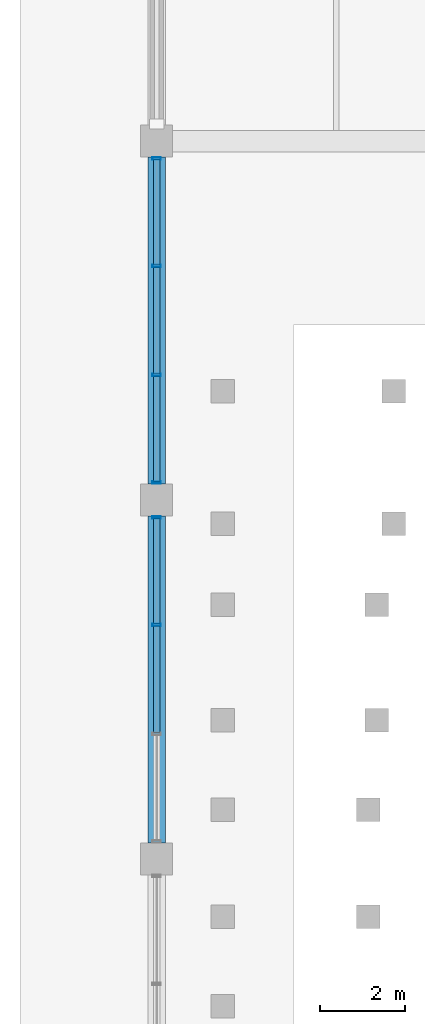
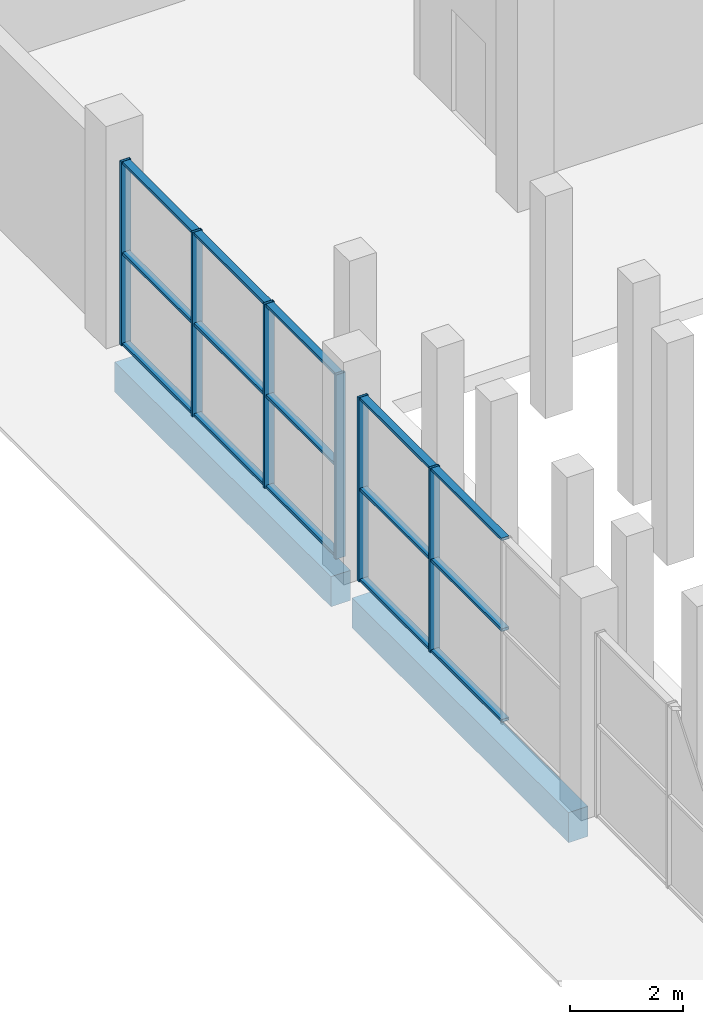
# One storey, part 36 of 130: 21 members, 2 beams, 2 elements without a shape of their own.
"""IFC4 building model written with IfcOpenShell, lengths in metres."""

import ifcopenshell
import ifcopenshell.guid

model = None  # the IFC model being written
_history = None  # IfcOwnerHistory: only IFC2X3 demands one
_inside = {}  # id of a spatial element -> (the spatial element, [elements in it])
_under = {}  # id of a project, library or spatial element -> (it, [spatial elements below it])
_declared = {}  # id of a project -> (the project, [libraries it declares])
_typed = {}  # id of a type object -> (the type object, [elements of that type])
_made_of = {}  # id of a material, layer set ... -> (it, [elements and type objects made of it])


def new_model(schema):
    """Start an empty IFC model of exactly this schema.

    Asked for "IFC4X3", IfcOpenShell would pick the latest addendum, in which some entities
    have other attributes; the version numbers below select the first issue.
    IFC2X3 requires an IfcOwnerHistory on every rooted entity: one is made here for all.
    """
    global model, _history
    if schema == "IFC4X3":
        model = ifcopenshell.file(schema_version=(4, 3, 0, 0))
    else:
        model = ifcopenshell.file(schema=schema)
    _inside.clear()
    _under.clear()
    _declared.clear()
    _typed.clear()
    _made_of.clear()
    _history = None
    if model.schema == "IFC2X3":
        org = make("IfcOrganization", Name="unknown")
        user = make(
            "IfcPersonAndOrganization",
            ThePerson=make("IfcPerson", FamilyName="unknown"),
            TheOrganization=org,
        )
        app = make(
            "IfcApplication",
            ApplicationDeveloper=org,
            Version="unknown",
            ApplicationFullName="unknown",
            ApplicationIdentifier="unknown",
        )
        _history = make(
            "IfcOwnerHistory",
            OwningUser=user,
            OwningApplication=app,
            ChangeAction="ADDED",
            CreationDate=0,
        )
    return model


def make(cls, **values):
    """One entity of the class cls with the attributes given. An attribute that is None is left unset."""
    return model.create_entity(
        cls, **{name: value for name, value in values.items() if value is not None}
    )


def rooted(cls, **values):
    """An entity with a GlobalId (a new one), such as an element, a storey or a relation."""
    return make(cls, GlobalId=ifcopenshell.guid.new(), OwnerHistory=_history, **values)


def si_unit(unit_type, name, prefix=None):
    """IfcSIUnit, for example si_unit("LENGTHUNIT", "METRE", prefix="MILLI")."""
    return make("IfcSIUnit", UnitType=unit_type, Prefix=prefix, Name=name)


def assignment(units):
    """IfcUnitAssignment: the units of a project."""
    return None if units is None else make("IfcUnitAssignment", Units=units)


def point(xyz):
    """IfcCartesianPoint."""
    return None if xyz is None else make("IfcCartesianPoint", Coordinates=xyz)


def direction(xyz):
    """IfcDirection."""
    return None if xyz is None else make("IfcDirection", DirectionRatios=xyz)


def frame(location, z_axis=None, x_axis=None):
    """IfcAxis2Placement3D, a coordinate frame: its origin and axes. An axis left out is left unset."""
    return make(
        "IfcAxis2Placement3D",
        Location=point(location),
        Axis=direction(z_axis),
        RefDirection=direction(x_axis),
    )


def frame_2d(location, x_axis=None):
    """IfcAxis2Placement2D, a coordinate frame in the plane: its origin and x axis."""
    return make(
        "IfcAxis2Placement2D", Location=point(location), RefDirection=direction(x_axis)
    )


def origin():
    """The frame at (0, 0, 0) with its axes left unset."""
    return frame((0.0, 0.0, 0.0))


def origin_2d():
    """The frame at (0, 0) in the plane with its x axis left unset."""
    return frame_2d((0.0, 0.0))


def place(relative_to, where):
    """IfcLocalPlacement: puts the frame where relative to a parent placement (None: the world)."""
    return make(
        "IfcLocalPlacement", PlacementRelTo=relative_to, RelativePlacement=where
    )


def context(
    kind, dimensions, precision=None, world=None, true_north=None, identifier=None
):
    """IfcGeometricRepresentationContext, for example the 3D "Model" context."""
    return make(
        "IfcGeometricRepresentationContext",
        ContextIdentifier=identifier,
        ContextType=kind,
        CoordinateSpaceDimension=dimensions,
        Precision=precision,
        WorldCoordinateSystem=world,
        TrueNorth=true_north,
    )


def subcontext(parent, identifier, kind, view, scale=None):
    """IfcGeometricRepresentationSubContext, for example "Body" below "Model"."""
    return make(
        "IfcGeometricRepresentationSubContext",
        ContextIdentifier=identifier,
        ContextType=kind,
        ParentContext=parent,
        TargetScale=scale,
        TargetView=view,
    )


def project(units=None, contexts=None):
    """IfcProject with its units and contexts."""
    return rooted(
        "IfcProject",
        Name="project",
        RepresentationContexts=contexts,
        UnitsInContext=assignment(units),
    )


def spatial(cls, under=None, at=None, **own):
    """A site, building, storey or space (cls), placed at a placement, below another one or the project."""
    s = rooted(cls, ObjectPlacement=at, **own)
    if under is not None:
        _under.setdefault(under.id(), (under, []))[1].append(s)
    return s


def profile(cls, at=None, kind="AREA", **sizes):
    """A parametric profile (cls). Its sizes go by their IFC names, for example OverallWidth=200.0."""
    return make(cls, ProfileType=kind, Position=at, **sizes)


def rectangle(**sizes):
    """IfcRectangleProfileDef."""
    return profile("IfcRectangleProfileDef", **sizes)


def hollow_rectangle(**sizes):
    """IfcRectangleHollowProfileDef."""
    return profile("IfcRectangleHollowProfileDef", **sizes)


def extrude(swept, where, along, depth):
    """IfcExtrudedAreaSolid: the profile swept, set in the frame where, extruded along a direction by depth."""
    return make(
        "IfcExtrudedAreaSolid",
        SweptArea=swept,
        Position=where,
        ExtrudedDirection=direction(along),
        Depth=depth,
    )


def shape(context_of_items, identifier, shape_type, items):
    """IfcShapeRepresentation: the items that make up one representation, for example the "Body"."""
    return make(
        "IfcShapeRepresentation",
        ContextOfItems=context_of_items,
        RepresentationIdentifier=identifier,
        RepresentationType=shape_type,
        Items=items,
    )


def material(Name=None, Category=None):
    """IfcMaterial."""
    return make("IfcMaterial", Name=Name, Category=Category)


def material_profile(
    of_material, cross_section, Name=None, Category=None, Priority=None
):
    """IfcMaterialProfile: a cross section and its material."""
    return make(
        "IfcMaterialProfile",
        Name=Name,
        Material=of_material,
        Profile=cross_section,
        Priority=Priority,
        Category=Category,
    )


def profile_set(profiles, Name=None, composite=None):
    """IfcMaterialProfileSet."""
    return make(
        "IfcMaterialProfileSet",
        Name=Name,
        MaterialProfiles=profiles,
        CompositeProfile=composite,
    )


def made_of(thing, what):
    """Note that an element or type object is made of a material, layer set ...; save() writes the relation."""
    if what is not None:
        _made_of.setdefault(what.id(), (what, []))[1].append(thing)
    return thing


def type_object(cls, material=None, **own):
    """A type object (cls), such as IfcWallType, which elements share."""
    return made_of(rooted(cls, **own), material)


def element(
    cls,
    number,
    at=None,
    inside=None,
    cuts=None,
    type_object=None,
    material=None,
    context=None,
    identifier="Body",
    shape_type=None,
    held_by="IfcProductDefinitionShape",
    body=None,
    shapes=None,
    **own,
):
    """One element of the class cls, such as IfcWall. Its Tag is "e" and its number.

    at: its placement. inside: the storey or other place that contains it. cuts: it is an
    opening in that element (IfcRelVoidsElement). A single representation is given by context,
    identifier, shape_type and body (its items); several are given by shapes. held_by: the class
    of the entity that holds the representations. save() writes the other relations.
    """
    e = rooted(cls, Tag="e%d" % number, ObjectPlacement=at, **own)
    if body is not None:
        shapes = [shape(context, identifier, shape_type, body)]
    if shapes is not None:
        e.Representation = make(held_by, Representations=shapes)
    if inside is not None:
        _inside.setdefault(inside.id(), (inside, []))[1].append(e)
    if cuts is not None:
        rooted(
            "IfcRelVoidsElement", RelatingBuildingElement=cuts, RelatedOpeningElement=e
        )
    if type_object is not None:
        _typed.setdefault(type_object.id(), (type_object, []))[1].append(e)
    return made_of(e, material)


def aggregate(whole, parts):
    """IfcRelAggregates: a whole, such as a stair, and the parts it consists of."""
    return rooted("IfcRelAggregates", RelatingObject=whole, RelatedObjects=parts)


def save(model, path):
    """Write the relations noted so far, then the file.

    IfcRelAggregates (storeys below a building ...), IfcRelContainedInSpatialStructure (elements
    in a storey), IfcRelDefinesByType, IfcRelAssociatesMaterial and IfcRelDeclares: one each for
    every whole, place, type object, material and project.
    """
    for whole, parts in _under.values():
        aggregate(whole, parts)
    for where, things in _inside.values():
        rooted(
            "IfcRelContainedInSpatialStructure",
            RelatedElements=things,
            RelatingStructure=where,
        )
    for kind, things in _typed.values():
        rooted("IfcRelDefinesByType", RelatedObjects=things, RelatingType=kind)
    for what, things in _made_of.values():
        rooted("IfcRelAssociatesMaterial", RelatedObjects=things, RelatingMaterial=what)
    for by, libraries in _declared.values():
        rooted("IfcRelDeclares", RelatingContext=by, RelatedDefinitions=libraries)
    model.write(path)


model = new_model("IFC4")

# Units and contexts
model_context = context("Model", 3, precision=1e-05, world=origin(), true_north=direction((0.0, 1.0)))
body_context = subcontext(model_context, "Body", "Model", "MODEL_VIEW")
ifc_project = project(units=[si_unit("LENGTHUNIT", "METRE"), si_unit("AREAUNIT", "SQUARE_METRE"), si_unit("VOLUMEUNIT", "CUBIC_METRE"), si_unit("PLANEANGLEUNIT", "RADIAN"), si_unit("MASSUNIT", "GRAM", prefix="KILO"), si_unit("THERMODYNAMICTEMPERATUREUNIT", "KELVIN")], contexts=[model_context])

# Site, building, storey
site_placement = place(None, origin())
site = spatial("IfcSite", under=ifc_project, at=site_placement, CompositionType="ELEMENT")
building_placement = place(site_placement, origin())
building = spatial("IfcBuilding", under=site, at=building_placement, Name="Nduvali Passage Aquatics Centre", CompositionType="ELEMENT")
storey_placement = place(building_placement, origin())
storey = spatial("IfcBuildingStorey", under=building, at=storey_placement, Name="L00", CompositionType="ELEMENT", Elevation=0.0)

# Curtain wall, members
ifc_material_1 = material(Name="Aluminium EN AW-6063 T6", Category="aluminium")
curtain_wall_type = type_object("IfcCurtainWallType", Name="ENV-CW-DIVE", PredefinedType="NOTDEFINED", material=ifc_material_1)
curtain_wall_1_placement = place(storey_placement, origin())
curtain_wall_1 = element("IfcCurtainWall", 1, at=curtain_wall_1_placement, inside=storey, type_object=curtain_wall_type, Name="L00 West Diving Pool Viewing CW 137", PredefinedType="NOTDEFINED")
ifc_material_profile_1 = material_profile(ifc_material_1, hollow_rectangle(XDim=0.06005859375, YDim=0.199951171875, WallThickness=0.00390625, at=origin_2d()), Name="ALU MULLION 60x200x4")
ifc_profile_set_1 = profile_set([ifc_material_profile_1], Name="Aluminium EN AW-6063 T6")
member_type_1 = type_object("IfcMemberType", Name="ENV-MEM-MUL80", PredefinedType="MULLION", material=ifc_profile_set_1)
member_1_placement = place(storey_placement, frame((0.0, 64.27490234375, 0.0), z_axis=(0.0, 0.0, 1.0), x_axis=(0.0, 1.0, 0.0)))
member_1 = element("IfcMember", 2, at=member_1_placement, type_object=member_type_1, Name="West Diving Pool Viewing CW Mullion 3", PredefinedType="MULLION", context=body_context, shape_type="SweptSolid", body=[
    extrude(hollow_rectangle(XDim=0.06005859375, YDim=0.199951171875, WallThickness=0.00390625, at=origin_2d()), origin(), (0.0, 0.0, 1.0), 3.976318359375),
])
member_2_placement = place(storey_placement, frame((0.0, 66.794921875, 0.0), z_axis=(0.0, 0.0, 1.0), x_axis=(0.0, 1.0, 0.0)))
member_2 = element("IfcMember", 3, at=member_2_placement, type_object=member_type_1, Name="West Diving Pool Viewing CW Mullion 4", PredefinedType="MULLION", context=body_context, shape_type="SweptSolid", body=[
    extrude(hollow_rectangle(XDim=0.06005859375, YDim=0.199951171875, WallThickness=0.00390625, at=origin_2d()), origin(), (0.0, 0.0, 1.0), 3.976318359375),
])

curtain_wall_2_placement = place(storey_placement, origin())
curtain_wall_2 = element("IfcCurtainWall", 4, at=curtain_wall_2_placement, inside=storey, type_object=curtain_wall_type, Name="L00 West Diving Pool Viewing CW 142", PredefinedType="NOTDEFINED")
member_3_placement = place(storey_placement, frame((0.0, 67.60498046875, 0.0), z_axis=(0.0, 0.0, 1.0), x_axis=(0.0, 1.0, 0.0)))
member_3 = element("IfcMember", 5, at=member_3_placement, type_object=member_type_1, Name="West Diving Pool Viewing CW Mullion 1", PredefinedType="MULLION", context=body_context, shape_type="SweptSolid", body=[
    extrude(hollow_rectangle(XDim=0.06005859375, YDim=0.199951171875, WallThickness=0.00390625, at=origin_2d()), origin(), (0.0, 0.0, 1.0), 3.976318359375),
])
member_4_placement = place(storey_placement, frame((0.0, 70.125, 0.0), z_axis=(0.0, 0.0, 1.0), x_axis=(0.0, 1.0, 0.0)))
member_4 = element("IfcMember", 6, at=member_4_placement, type_object=member_type_1, Name="West Diving Pool Viewing CW Mullion 2", PredefinedType="MULLION", context=body_context, shape_type="SweptSolid", body=[
    extrude(hollow_rectangle(XDim=0.06005859375, YDim=0.199951171875, WallThickness=0.00390625, at=origin_2d()), origin(), (0.0, 0.0, 1.0), 3.976318359375),
])
member_5_placement = place(storey_placement, frame((0.0, 72.675048828125, 0.0), z_axis=(0.0, 0.0, 1.0), x_axis=(0.0, 1.0, 0.0)))
member_5 = element("IfcMember", 7, at=member_5_placement, type_object=member_type_1, Name="West Diving Pool Viewing CW Mullion 3", PredefinedType="MULLION", context=body_context, shape_type="SweptSolid", body=[
    extrude(hollow_rectangle(XDim=0.06005859375, YDim=0.199951171875, WallThickness=0.00390625, at=origin_2d()), origin(), (0.0, 0.0, 1.0), 3.976318359375),
])
member_6_placement = place(storey_placement, frame((0.0, 75.195068359375, 0.0), z_axis=(0.0, 0.0, 1.0), x_axis=(0.0, 1.0, 0.0)))
member_6 = element("IfcMember", 8, at=member_6_placement, type_object=member_type_1, Name="West Diving Pool Viewing CW Mullion 4", PredefinedType="MULLION", context=body_context, shape_type="SweptSolid", body=[
    extrude(hollow_rectangle(XDim=0.06005859375, YDim=0.199951171875, WallThickness=0.00390625, at=origin_2d()), origin(), (0.0, 0.0, 1.0), 3.976318359375),
])

# Member
ifc_material_profile_2 = material_profile(ifc_material_1, hollow_rectangle(XDim=0.14990234375, YDim=0.06005859375, WallThickness=0.00390625, at=origin_2d()), Name="ALU TRANSOM 150x60x4")
ifc_profile_set_2 = profile_set([ifc_material_profile_2], Name="Aluminium EN AW-6063 T6")
member_type_2 = type_object("IfcMemberType", Name="ENV-MEM-TRN80", PredefinedType="USERDEFINED", material=ifc_profile_set_2)
member_7_placement = place(storey_placement, frame((0.0, 61.7548828125, 0.030029296875), z_axis=(0.0, 1.0, 0.0), x_axis=(-1.0, 0.0, 0.0)))
member_7 = element("IfcMember", 9, at=member_7_placement, type_object=member_type_2, Name="West Diving Pool Viewing CW Transom B2-R0", ObjectType="TRANSOM", PredefinedType="USERDEFINED", context=body_context, shape_type="SweptSolid", body=[
    extrude(hollow_rectangle(XDim=0.14990234375, YDim=0.06005859375, WallThickness=0.00390625, at=origin_2d()), origin(), (0.0, 0.0, 1.0), 2.490234375),
])

member_8_placement = place(storey_placement, frame((0.0, 61.7548828125, 1.98828125), z_axis=(0.0, 1.0, 0.0), x_axis=(-1.0, 0.0, 0.0)))
member_8 = element("IfcMember", 10, at=member_8_placement, type_object=member_type_2, Name="West Diving Pool Viewing CW Transom B2-R1", ObjectType="TRANSOM", PredefinedType="USERDEFINED", context=body_context, shape_type="SweptSolid", body=[
    extrude(hollow_rectangle(XDim=0.14990234375, YDim=0.06005859375, WallThickness=0.00390625, at=origin_2d()), origin(), (0.0, 0.0, 1.0), 2.490234375),
])

member_9_placement = place(storey_placement, frame((0.0, 61.7548828125, 3.9462890625), z_axis=(0.0, 1.0, 0.0), x_axis=(-1.0, 0.0, 0.0)))
member_9 = element("IfcMember", 11, at=member_9_placement, type_object=member_type_2, Name="West Diving Pool Viewing CW Transom B2-R2", ObjectType="TRANSOM", PredefinedType="USERDEFINED", context=body_context, shape_type="SweptSolid", body=[
    extrude(hollow_rectangle(XDim=0.14990234375, YDim=0.06005859375, WallThickness=0.00390625, at=origin_2d()), origin(), (0.0, 0.0, 1.0), 2.490234375),
])

member_10_placement = place(storey_placement, frame((0.0, 64.304931640625, 0.030029296875), z_axis=(0.0, 1.0, 0.0), x_axis=(-1.0, 0.0, 0.0)))
member_10 = element("IfcMember", 12, at=member_10_placement, type_object=member_type_2, Name="West Diving Pool Viewing CW Transom B3-R0", ObjectType="TRANSOM", PredefinedType="USERDEFINED", context=body_context, shape_type="SweptSolid", body=[
    extrude(hollow_rectangle(XDim=0.14990234375, YDim=0.06005859375, WallThickness=0.00390625, at=origin_2d()), origin(), (0.0, 0.0, 1.0), 2.4599609375),
])

member_11_placement = place(storey_placement, frame((0.0, 64.304931640625, 1.98828125), z_axis=(0.0, 1.0, 0.0), x_axis=(-1.0, 0.0, 0.0)))
member_11 = element("IfcMember", 13, at=member_11_placement, type_object=member_type_2, Name="West Diving Pool Viewing CW Transom B3-R1", ObjectType="TRANSOM", PredefinedType="USERDEFINED", context=body_context, shape_type="SweptSolid", body=[
    extrude(hollow_rectangle(XDim=0.14990234375, YDim=0.06005859375, WallThickness=0.00390625, at=origin_2d()), origin(), (0.0, 0.0, 1.0), 2.4599609375),
])

member_12_placement = place(storey_placement, frame((0.0, 64.304931640625, 3.9462890625), z_axis=(0.0, 1.0, 0.0), x_axis=(-1.0, 0.0, 0.0)))
member_12 = element("IfcMember", 14, at=member_12_placement, type_object=member_type_2, Name="West Diving Pool Viewing CW Transom B3-R2", ObjectType="TRANSOM", PredefinedType="USERDEFINED", context=body_context, shape_type="SweptSolid", body=[
    extrude(hollow_rectangle(XDim=0.14990234375, YDim=0.06005859375, WallThickness=0.00390625, at=origin_2d()), origin(), (0.0, 0.0, 1.0), 2.4599609375),
])

aggregate(curtain_wall_1, [member_1, member_2, member_7, member_8, member_9, member_10, member_11, member_12])

member_13_placement = place(storey_placement, frame((0.0, 67.635009765625, 0.030029296875), z_axis=(0.0, 1.0, 0.0), x_axis=(-1.0, 0.0, 0.0)))
member_13 = element("IfcMember", 15, at=member_13_placement, type_object=member_type_2, Name="West Diving Pool Viewing CW Transom B1-R0", ObjectType="TRANSOM", PredefinedType="USERDEFINED", context=body_context, shape_type="SweptSolid", body=[
    extrude(hollow_rectangle(XDim=0.14990234375, YDim=0.06005859375, WallThickness=0.00390625, at=origin_2d()), origin(), (0.0, 0.0, 1.0), 2.4599609375),
])

member_14_placement = place(storey_placement, frame((0.0, 67.635009765625, 1.98828125), z_axis=(0.0, 1.0, 0.0), x_axis=(-1.0, 0.0, 0.0)))
member_14 = element("IfcMember", 16, at=member_14_placement, type_object=member_type_2, Name="West Diving Pool Viewing CW Transom B1-R1", ObjectType="TRANSOM", PredefinedType="USERDEFINED", context=body_context, shape_type="SweptSolid", body=[
    extrude(hollow_rectangle(XDim=0.14990234375, YDim=0.06005859375, WallThickness=0.00390625, at=origin_2d()), origin(), (0.0, 0.0, 1.0), 2.4599609375),
])

member_15_placement = place(storey_placement, frame((0.0, 67.635009765625, 3.9462890625), z_axis=(0.0, 1.0, 0.0), x_axis=(-1.0, 0.0, 0.0)))
member_15 = element("IfcMember", 17, at=member_15_placement, type_object=member_type_2, Name="West Diving Pool Viewing CW Transom B1-R2", ObjectType="TRANSOM", PredefinedType="USERDEFINED", context=body_context, shape_type="SweptSolid", body=[
    extrude(hollow_rectangle(XDim=0.14990234375, YDim=0.06005859375, WallThickness=0.00390625, at=origin_2d()), origin(), (0.0, 0.0, 1.0), 2.4599609375),
])

member_16_placement = place(storey_placement, frame((0.0, 70.155029296875, 0.030029296875), z_axis=(0.0, 1.0, 0.0), x_axis=(-1.0, 0.0, 0.0)))
member_16 = element("IfcMember", 18, at=member_16_placement, type_object=member_type_2, Name="West Diving Pool Viewing CW Transom B2-R0", ObjectType="TRANSOM", PredefinedType="USERDEFINED", context=body_context, shape_type="SweptSolid", body=[
    extrude(hollow_rectangle(XDim=0.14990234375, YDim=0.06005859375, WallThickness=0.00390625, at=origin_2d()), origin(), (0.0, 0.0, 1.0), 2.489990234375),
])

member_17_placement = place(storey_placement, frame((0.0, 70.155029296875, 1.98828125), z_axis=(0.0, 1.0, 0.0), x_axis=(-1.0, 0.0, 0.0)))
member_17 = element("IfcMember", 19, at=member_17_placement, type_object=member_type_2, Name="West Diving Pool Viewing CW Transom B2-R1", ObjectType="TRANSOM", PredefinedType="USERDEFINED", context=body_context, shape_type="SweptSolid", body=[
    extrude(hollow_rectangle(XDim=0.14990234375, YDim=0.06005859375, WallThickness=0.00390625, at=origin_2d()), origin(), (0.0, 0.0, 1.0), 2.489990234375),
])

member_18_placement = place(storey_placement, frame((0.0, 70.155029296875, 3.9462890625), z_axis=(0.0, 1.0, 0.0), x_axis=(-1.0, 0.0, 0.0)))
member_18 = element("IfcMember", 20, at=member_18_placement, type_object=member_type_2, Name="West Diving Pool Viewing CW Transom B2-R2", ObjectType="TRANSOM", PredefinedType="USERDEFINED", context=body_context, shape_type="SweptSolid", body=[
    extrude(hollow_rectangle(XDim=0.14990234375, YDim=0.06005859375, WallThickness=0.00390625, at=origin_2d()), origin(), (0.0, 0.0, 1.0), 2.489990234375),
])

member_19_placement = place(storey_placement, frame((0.0, 72.705078125, 0.030029296875), z_axis=(0.0, 1.0, 0.0), x_axis=(-1.0, 0.0, 0.0)))
member_19 = element("IfcMember", 21, at=member_19_placement, type_object=member_type_2, Name="West Diving Pool Viewing CW Transom B3-R0", ObjectType="TRANSOM", PredefinedType="USERDEFINED", context=body_context, shape_type="SweptSolid", body=[
    extrude(hollow_rectangle(XDim=0.14990234375, YDim=0.06005859375, WallThickness=0.00390625, at=origin_2d()), origin(), (0.0, 0.0, 1.0), 2.4599609375),
])

member_20_placement = place(storey_placement, frame((0.0, 72.705078125, 1.98828125), z_axis=(0.0, 1.0, 0.0), x_axis=(-1.0, 0.0, 0.0)))
member_20 = element("IfcMember", 22, at=member_20_placement, type_object=member_type_2, Name="West Diving Pool Viewing CW Transom B3-R1", ObjectType="TRANSOM", PredefinedType="USERDEFINED", context=body_context, shape_type="SweptSolid", body=[
    extrude(hollow_rectangle(XDim=0.14990234375, YDim=0.06005859375, WallThickness=0.00390625, at=origin_2d()), origin(), (0.0, 0.0, 1.0), 2.4599609375),
])

member_21_placement = place(storey_placement, frame((0.0, 72.705078125, 3.9462890625), z_axis=(0.0, 1.0, 0.0), x_axis=(-1.0, 0.0, 0.0)))
member_21 = element("IfcMember", 23, at=member_21_placement, type_object=member_type_2, Name="West Diving Pool Viewing CW Transom B3-R2", ObjectType="TRANSOM", PredefinedType="USERDEFINED", context=body_context, shape_type="SweptSolid", body=[
    extrude(hollow_rectangle(XDim=0.14990234375, YDim=0.06005859375, WallThickness=0.00390625, at=origin_2d()), origin(), (0.0, 0.0, 1.0), 2.4599609375),
])

aggregate(curtain_wall_2, [member_3, member_4, member_5, member_6, member_13, member_14, member_15, member_16, member_17, member_18, member_19, member_20, member_21])

# Beams
ifc_material_2 = material(Name="Concrete C40/50", Category="concrete")
ifc_material_profile_3 = material_profile(ifc_material_2, rectangle(XDim=0.39990234375, YDim=0.64990234375, at=origin_2d()), Name="RC 400x650")
ifc_profile_set_3 = profile_set([ifc_material_profile_3], Name="Concrete C40/50")
beam_type = type_object("IfcBeamType", Name="STR-SPN-RC4065-EXT", PredefinedType="SPANDREL", material=ifc_profile_set_3)
beam_1_placement = place(storey_placement, frame((0.0, 59.175048828125, -0.6650390625), z_axis=(0.0, 1.0, 0.0), x_axis=(-1.0, 0.0, 0.0)))
element("IfcBeam", 24, at=beam_1_placement, inside=storey, type_object=beam_type, Name="L00 Primary Y-Girder SP1E-0116", PredefinedType="SPANDREL", context=body_context, shape_type="SweptSolid", body=[
    extrude(rectangle(XDim=0.39990234375, YDim=0.64990234375, at=origin_2d()), origin(), (0.0, 0.0, 1.0), 7.64990234375),
])
beam_2_placement = place(storey_placement, frame((0.0, 67.574951171875, -0.6650390625), z_axis=(0.0, 1.0, 0.0), x_axis=(-1.0, 0.0, 0.0)))
element("IfcBeam", 25, at=beam_2_placement, inside=storey, type_object=beam_type, Name="L00 Primary Y-Girder SP1E-0117", PredefinedType="SPANDREL", context=body_context, shape_type="SweptSolid", body=[
    extrude(rectangle(XDim=0.39990234375, YDim=0.64990234375, at=origin_2d()), origin(), (0.0, 0.0, 1.0), 7.650146484375),
])

save(model, "model.ifc")
